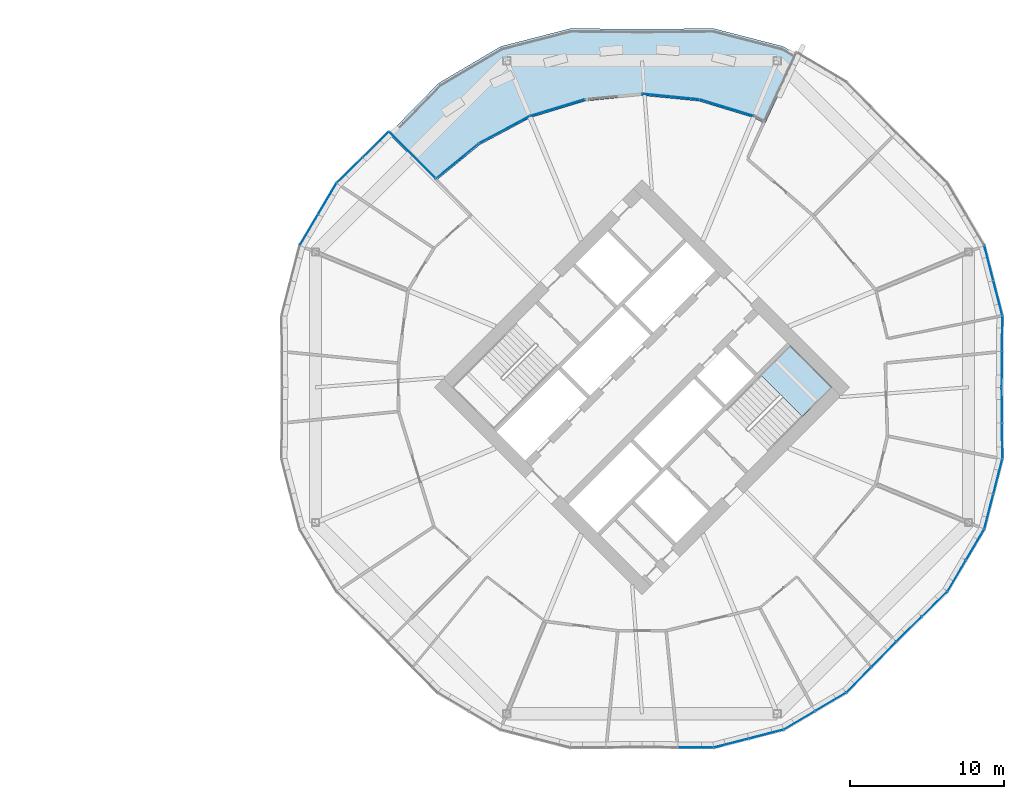
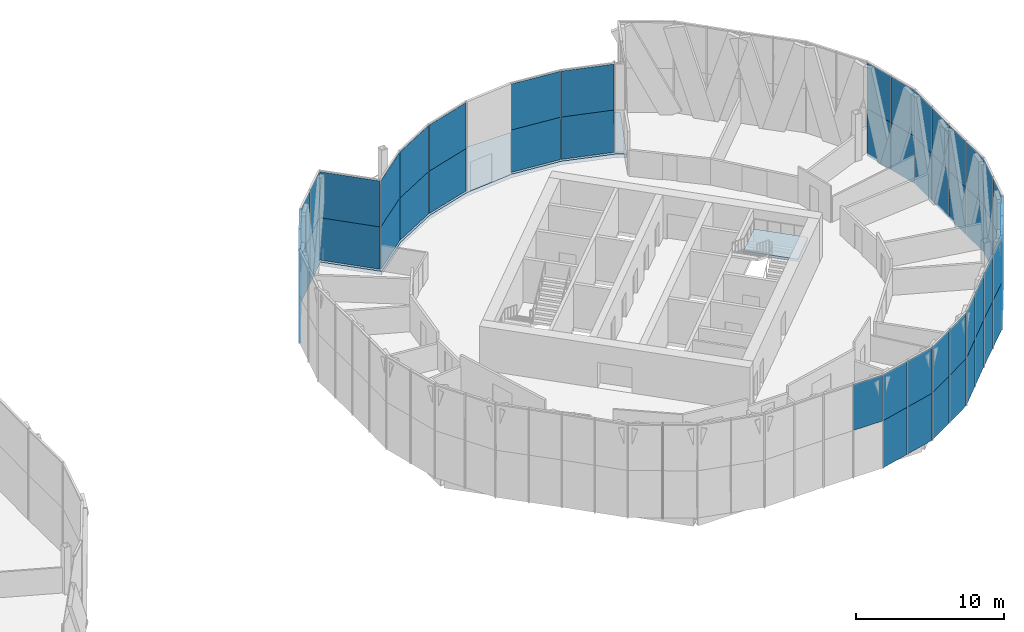
# One storey, part 20 of 31: 57 plates, 2 slabs, 7 elements without a shape of their own.
"""IFC4 building model written with IfcOpenShell, lengths in metres."""

from ifc_helpers import new_model, si_unit, direction, frame, origin, origin_2d, place, context, subcontext, project, spatial, polyline, rectangle, outline, extrude, material, layer, layer_set, type_object, element, aggregate, save


model = new_model("IFC4")

# Units and contexts
model_context = context("Model", 3, precision=1e-05, world=origin(), true_north=direction((0.0, 1.0)))
body_context = subcontext(model_context, "Body", "Model", "MODEL_VIEW")
ifc_project = project(units=[si_unit("LENGTHUNIT", "METRE"), si_unit("AREAUNIT", "SQUARE_METRE"), si_unit("VOLUMEUNIT", "CUBIC_METRE"), si_unit("PLANEANGLEUNIT", "RADIAN"), si_unit("MASSUNIT", "GRAM", prefix="KILO")], contexts=[model_context])

# Site, building, storey
site_placement = place(None, origin())
site = spatial("IfcSite", under=ifc_project, at=site_placement, CompositionType="ELEMENT")
building_placement = place(site_placement, origin())
building = spatial("IfcBuilding", under=site, at=building_placement, Name="Ogive Gate Towers", CompositionType="ELEMENT")
storey_placement = place(building_placement, frame((0.0, 0.0, 63.60009765625)))
storey = spatial("IfcBuildingStorey", under=building, at=storey_placement, Name="L14", CompositionType="ELEMENT", Elevation=63.60009765625)

# Curtain wall, plates
ifc_material_1 = material(Name="Pale metal aluminium", Category="aluminium")
curtain_wall_type_1 = type_object("IfcCurtainWallType", Name="Sky garden glazing", PredefinedType="NOTDEFINED", material=ifc_material_1)
curtain_wall_1_placement = place(storey_placement, origin())
curtain_wall_1 = element("IfcCurtainWall", 1, at=curtain_wall_1_placement, inside=storey, type_object=curtain_wall_type_1, Name="CW4 T2 ECW01", PredefinedType="NOTDEFINED")
ifc_material_2 = material(Name="Clear glass", Category="glass")
ifc_layer_1 = layer(ifc_material_2, 0.028076171875)
ifc_layer_set_1 = layer_set([ifc_layer_1], Name="Sky garden glazing glass panel")
plate_type_1 = type_object("IfcPlateType", Name="Sky garden glazing glass panel", PredefinedType="CURTAIN_PANEL", material=ifc_layer_set_1)
plate_1_placement = place(storey_placement, frame((37.852783203125, 18.827880859375, 0.095947265625), z_axis=(0.0, 0.0, 1.0), x_axis=(0.995184726672, -0.09801714033, 0.0)))
plate_1 = element("IfcPlate", 2, at=plate_1_placement, type_object=plate_type_1, Name="CW4 glass panel", PredefinedType="CURTAIN_PANEL", context=body_context, shape_type="SweptSolid", body=[
    extrude(rectangle(XDim=3.679443359375, YDim=0.028076171875, at=origin_2d()), origin(), (0.0, 0.0, 1.0), 3.50390625),
])
plate_2_placement = place(storey_placement, frame((37.852783203125, 18.827880859375, 3.60009765625), z_axis=(0.0, 0.0, 1.0), x_axis=(0.995184726672, -0.09801714033, 0.0)))
plate_2 = element("IfcPlate", 3, at=plate_2_placement, type_object=plate_type_1, Name="CW4 glass panel", PredefinedType="CURTAIN_PANEL", context=body_context, shape_type="SweptSolid", body=[
    extrude(rectangle(XDim=3.679443359375, YDim=0.028076171875, at=origin_2d()), origin(), (0.0, 0.0, 1.0), 3.803955078125),
])
plate_3_placement = place(storey_placement, frame((41.491943359375, 18.104248046875, 0.095947265625), z_axis=(0.0, 0.0, 1.0), x_axis=(0.956940335732, -0.290284677254, 0.0)))
plate_3 = element("IfcPlate", 4, at=plate_3_placement, type_object=plate_type_1, Name="CW4 glass panel", PredefinedType="CURTAIN_PANEL", context=body_context, shape_type="SweptSolid", body=[
    extrude(rectangle(XDim=3.67578125, YDim=0.028076171875, at=origin_2d()), origin(), (0.0, 0.0, 1.0), 3.50390625),
])
plate_4_placement = place(storey_placement, frame((41.491943359375, 18.104248046875, 3.60009765625), z_axis=(0.0, 0.0, 1.0), x_axis=(0.956940335732, -0.290284677254, 0.0)))
plate_4 = element("IfcPlate", 5, at=plate_4_placement, type_object=plate_type_1, Name="CW4 glass panel", PredefinedType="CURTAIN_PANEL", context=body_context, shape_type="SweptSolid", body=[
    extrude(rectangle(XDim=3.67578125, YDim=0.028076171875, at=origin_2d()), origin(), (0.0, 0.0, 1.0), 3.803955078125),
])
aggregate(curtain_wall_1, [plate_1, plate_2, plate_3, plate_4])

curtain_wall_2_placement = place(storey_placement, origin())
curtain_wall_2 = element("IfcCurtainWall", 6, at=curtain_wall_2_placement, inside=storey, type_object=curtain_wall_type_1, Name="CW4 T2 ECW02", PredefinedType="NOTDEFINED")
plate_5_placement = place(storey_placement, frame((21.106689453125, 15.03466796875, 0.095947265625), z_axis=(0.0, 0.0, 1.0), x_axis=(0.707106781187, -0.707106781187, 0.0)))
plate_5 = element("IfcPlate", 7, at=plate_5_placement, type_object=plate_type_1, Name="CW4 glass panel", PredefinedType="CURTAIN_PANEL", context=body_context, shape_type="SweptSolid", body=[
    extrude(rectangle(XDim=4.249755859375, YDim=0.028076171875, at=origin_2d()), origin(), (0.0, 0.0, 1.0), 3.50390625),
])
plate_6_placement = place(storey_placement, frame((21.106689453125, 15.03466796875, 3.60009765625), z_axis=(0.0, 0.0, 1.0), x_axis=(0.707106781187, -0.707106781187, 0.0)))
plate_6 = element("IfcPlate", 8, at=plate_6_placement, type_object=plate_type_1, Name="CW4 glass panel", PredefinedType="CURTAIN_PANEL", context=body_context, shape_type="SweptSolid", body=[
    extrude(rectangle(XDim=4.249755859375, YDim=0.028076171875, at=origin_2d()), origin(), (0.0, 0.0, 1.0), 3.803955078125),
])
plate_7_placement = place(storey_placement, frame((24.041015625, 14.659912109375, 0.095947265625), z_axis=(0.0, 0.0, 1.0), x_axis=(0.773021525497, 0.634379792489, 0.0)))
plate_7 = element("IfcPlate", 9, at=plate_7_placement, type_object=plate_type_1, Name="CW4 glass panel", PredefinedType="CURTAIN_PANEL", context=body_context, shape_type="SweptSolid", body=[
    extrude(rectangle(XDim=3.564208984375, YDim=0.028076171875, at=origin_2d()), origin(), (0.0, 0.0, 1.0), 3.50390625),
])
plate_8_placement = place(storey_placement, frame((24.041015625, 14.659912109375, 3.60009765625), z_axis=(0.0, 0.0, 1.0), x_axis=(0.773021525497, 0.634379792489, 0.0)))
plate_8 = element("IfcPlate", 10, at=plate_8_placement, type_object=plate_type_1, Name="CW4 glass panel", PredefinedType="CURTAIN_PANEL", context=body_context, shape_type="SweptSolid", body=[
    extrude(rectangle(XDim=3.564208984375, YDim=0.028076171875, at=origin_2d()), origin(), (0.0, 0.0, 1.0), 3.803955078125),
])
plate_9_placement = place(storey_placement, frame((27.08154296875, 16.68505859375, 0.095947265625), z_axis=(0.0, 0.0, 1.0), x_axis=(0.881921264348, 0.471396736826, 0.0)))
plate_9 = element("IfcPlate", 11, at=plate_9_placement, type_object=plate_type_1, Name="CW4 glass panel", PredefinedType="CURTAIN_PANEL", context=body_context, shape_type="SweptSolid", body=[
    extrude(rectangle(XDim=3.676025390625, YDim=0.028076171875, at=origin_2d()), origin(), (0.0, 0.0, 1.0), 3.50390625),
])
plate_10_placement = place(storey_placement, frame((27.08154296875, 16.68505859375, 3.60009765625), z_axis=(0.0, 0.0, 1.0), x_axis=(0.881921264348, 0.471396736826, 0.0)))
plate_10 = element("IfcPlate", 12, at=plate_10_placement, type_object=plate_type_1, Name="CW4 glass panel", PredefinedType="CURTAIN_PANEL", context=body_context, shape_type="SweptSolid", body=[
    extrude(rectangle(XDim=3.676025390625, YDim=0.028076171875, at=origin_2d()), origin(), (0.0, 0.0, 1.0), 3.803955078125),
])
plate_11_placement = place(storey_placement, frame((30.509765625, 18.104736328125, 0.095947265625), z_axis=(0.0, 0.0, 1.0), x_axis=(0.956940335732, 0.290284677254, 0.0)))
plate_11 = element("IfcPlate", 13, at=plate_11_placement, type_object=plate_type_1, Name="CW4 glass panel", PredefinedType="CURTAIN_PANEL", context=body_context, shape_type="SweptSolid", body=[
    extrude(rectangle(XDim=3.67919921875, YDim=0.028076171875, at=origin_2d()), origin(), (0.0, 0.0, 1.0), 3.50390625),
])
plate_12_placement = place(storey_placement, frame((30.509765625, 18.104736328125, 3.60009765625), z_axis=(0.0, 0.0, 1.0), x_axis=(0.956940335732, 0.290284677254, 0.0)))
plate_12 = element("IfcPlate", 14, at=plate_12_placement, type_object=plate_type_1, Name="CW4 glass panel", PredefinedType="CURTAIN_PANEL", context=body_context, shape_type="SweptSolid", body=[
    extrude(rectangle(XDim=3.67919921875, YDim=0.028076171875, at=origin_2d()), origin(), (0.0, 0.0, 1.0), 3.803955078125),
])
aggregate(curtain_wall_2, [plate_5, plate_6, plate_7, plate_8, plate_9, plate_10, plate_11, plate_12])

# Stair, slab
ifc_material_3 = material(Name="Concrete C40/50", Category="concrete")
stair_type = type_object("IfcStairType", Name="Escape stair 1840 wide", PredefinedType="HALF_TURN_STAIR", material=ifc_material_3)
stair_placement = place(storey_placement, origin())
stair = element("IfcStair", 15, at=stair_placement, inside=storey, type_object=stair_type, Name="L14 Escape stair 2", PredefinedType="HALF_TURN_STAIR")
ifc_layer_2 = layer(ifc_material_3, 0.199951171875)
ifc_layer_set_2 = layer_set([ifc_layer_2], Name="Stair landing 200 mm")
slab_type_1 = type_object("IfcSlabType", Name="Stair landing 200 mm", PredefinedType="LANDING", material=ifc_layer_set_2)
slab_1_placement = place(storey_placement, frame((0.0, 0.0, 1.75)))
slab_1 = element("IfcSlab", 16, at=slab_1_placement, type_object=slab_type_1, Name="ST2 landing 1", PredefinedType="LANDING", context=body_context, shape_type="SweptSolid", body=[
    extrude(outline(polyline([(46.3955078125, -1.908203125), (48.3037109375, 0.0), (45.598876953125, 2.70458984375), (43.690673828125, 0.79638671875), (46.3955078125, -1.908203125)])), origin(), (0.0, 0.0, 1.0), 0.199951171875),
])
aggregate(stair, [slab_1])

# Slab
ifc_material_4 = material(Name="Concrete C35/45", Category="concrete")
ifc_layer_3 = layer(ifc_material_4, 0.300048828125)
ifc_layer_set_3 = layer_set([ifc_layer_3], Name="Terrace slab 300")
slab_type_2 = type_object("IfcSlabType", Name="Terrace slab 300", PredefinedType="FLOOR", material=ifc_layer_set_3)
slab_2_placement = place(storey_placement, frame((0.0, 0.0, -0.300048828125)))
element("IfcSlab", 17, at=slab_2_placement, inside=storey, type_object=slab_type_2, Name="T2/L14/SSL002", PredefinedType="FLOOR", context=body_context, shape_type="SweptSolid", body=[
    extrude(outline(polyline([(43.965087890625, 17.0810546875), (46.05224609375, 21.55712890625), (45.14990234375, 22.08984375), (40.62548828125, 23.25439453125), (36.0, 23.2099609375), (31.37451171875, 23.25439453125), (26.85009765625, 22.08984375), (22.827392578125, 19.714111328125), (19.588134765625, 16.411865234375), (22.628662109375, 13.371337890625), (25.494140625, 15.72314453125), (28.763427734375, 17.470458984375), (32.310791015625, 18.546630859375), (36.0, 18.909912109375), (39.689208984375, 18.546630859375), (43.236572265625, 17.470458984375), (43.965087890625, 17.0810546875)])), origin(), (0.0, 0.0, 1.0), 0.300048828125),
])

# Curtain wall, plates
curtain_wall_type_2 = type_object("IfcCurtainWallType", Name="Tower unitised wall, low zone", PredefinedType="NOTDEFINED", material=ifc_material_1)
curtain_wall_3_placement = place(storey_placement, origin())
curtain_wall_3 = element("IfcCurtainWall", 18, at=curtain_wall_3_placement, inside=storey, type_object=curtain_wall_type_2, Name="CW1 T2 ECW03", PredefinedType="NOTDEFINED")
ifc_layer_4 = layer(ifc_material_2, 0.028076171875)
ifc_layer_set_4 = layer_set([ifc_layer_4], Name="Tower unitised wall, low zone glass panel")
plate_type_2 = type_object("IfcPlateType", Name="Tower unitised wall, low zone glass panel", PredefinedType="CURTAIN_PANEL", material=ifc_layer_set_4)
plate_13_placement = place(storey_placement, frame((58.4765625, 8.049072265625, -0.300048828125), z_axis=(0.0, 0.0, 1.0), x_axis=(0.249247709738, -0.968439765391, 0.0)))
plate_13 = element("IfcPlate", 19, at=plate_13_placement, type_object=plate_type_2, Name="CW1 glass panel", PredefinedType="CURTAIN_PANEL", context=body_context, shape_type="SweptSolid", body=[
    extrude(rectangle(XDim=2.29150390625, YDim=0.028076171875, at=origin_2d()), origin(), (0.0, 0.0, 1.0), 3.89990234375),
])
plate_14_placement = place(storey_placement, frame((58.4765625, 8.049072265625, 3.60009765625), z_axis=(0.0, 0.0, 1.0), x_axis=(0.249247709738, -0.968439765391, 0.0)))
plate_14 = element("IfcPlate", 20, at=plate_14_placement, type_object=plate_type_2, Name="CW1 glass panel", PredefinedType="CURTAIN_PANEL", context=body_context, shape_type="SweptSolid", body=[
    extrude(rectangle(XDim=2.29150390625, YDim=0.028076171875, at=origin_2d()), origin(), (0.0, 0.0, 1.0), 3.803955078125),
])
plate_15_placement = place(storey_placement, frame((59.061279296875, 5.77734375, -0.300048828125), z_axis=(0.0, 0.0, 1.0), x_axis=(0.249247709738, -0.968439765391, 0.0)))
plate_15 = element("IfcPlate", 21, at=plate_15_placement, type_object=plate_type_2, Name="CW1 glass panel", PredefinedType="CURTAIN_PANEL", context=body_context, shape_type="SweptSolid", body=[
    extrude(rectangle(XDim=2.291748046875, YDim=0.028076171875, at=origin_2d()), origin(), (0.0, 0.0, 1.0), 3.89990234375),
])
plate_16_placement = place(storey_placement, frame((59.061279296875, 5.77734375, 3.60009765625), z_axis=(0.0, 0.0, 1.0), x_axis=(0.249247709738, -0.968439765391, 0.0)))
plate_16 = element("IfcPlate", 22, at=plate_16_placement, type_object=plate_type_2, Name="CW1 glass panel", PredefinedType="CURTAIN_PANEL", context=body_context, shape_type="SweptSolid", body=[
    extrude(rectangle(XDim=2.291748046875, YDim=0.028076171875, at=origin_2d()), origin(), (0.0, 0.0, 1.0), 3.803955078125),
])
plate_17_placement = place(storey_placement, frame((59.343505859375, 3.476318359375, -0.300048828125), z_axis=(0.0, 0.0, 1.0), x_axis=(-0.009581710973, -0.999954094354, 0.0)))
plate_17 = element("IfcPlate", 23, at=plate_17_placement, type_object=plate_type_2, Name="CW1 glass panel", PredefinedType="CURTAIN_PANEL", context=body_context, shape_type="SweptSolid", body=[
    extrude(rectangle(XDim=2.26123046875, YDim=0.028076171875, at=origin_2d()), origin(), (0.0, 0.0, 1.0), 3.89990234375),
])
plate_18_placement = place(storey_placement, frame((59.343505859375, 3.476318359375, 3.60009765625), z_axis=(0.0, 0.0, 1.0), x_axis=(-0.009581710973, -0.999954094354, 0.0)))
plate_18 = element("IfcPlate", 24, at=plate_18_placement, type_object=plate_type_2, Name="CW1 glass panel", PredefinedType="CURTAIN_PANEL", context=body_context, shape_type="SweptSolid", body=[
    extrude(rectangle(XDim=2.26123046875, YDim=0.028076171875, at=origin_2d()), origin(), (0.0, 0.0, 1.0), 3.803955078125),
])
plate_19_placement = place(storey_placement, frame((59.3212890625, 1.159423828125, -0.300048828125), z_axis=(0.0, 0.0, 1.0), x_axis=(-0.009616615949, -0.99995375928, 0.0)))
plate_19 = element("IfcPlate", 25, at=plate_19_placement, type_object=plate_type_2, Name="CW1 glass panel", PredefinedType="CURTAIN_PANEL", context=body_context, shape_type="SweptSolid", body=[
    extrude(rectangle(XDim=2.264892578125, YDim=0.028076171875, at=origin_2d()), origin(), (0.0, 0.0, 1.0), 3.89990234375),
])
plate_20_placement = place(storey_placement, frame((59.3212890625, 1.159423828125, 3.60009765625), z_axis=(0.0, 0.0, 1.0), x_axis=(-0.009616615949, -0.99995375928, 0.0)))
plate_20 = element("IfcPlate", 26, at=plate_20_placement, type_object=plate_type_2, Name="CW1 glass panel", PredefinedType="CURTAIN_PANEL", context=body_context, shape_type="SweptSolid", body=[
    extrude(rectangle(XDim=2.264892578125, YDim=0.028076171875, at=origin_2d()), origin(), (0.0, 0.0, 1.0), 3.803955078125),
])
aggregate(curtain_wall_3, [plate_13, plate_14, plate_15, plate_16, plate_17, plate_18, plate_19, plate_20])

curtain_wall_4_placement = place(storey_placement, origin())
curtain_wall_4 = element("IfcCurtainWall", 27, at=curtain_wall_4_placement, inside=storey, type_object=curtain_wall_type_2, Name="CW1 T2 ECW05", PredefinedType="NOTDEFINED")
plate_21_placement = place(storey_placement, frame((14.415283203125, 10.201904296875, -0.300048828125), z_axis=(0.0, 0.0, 1.0), x_axis=(0.508545579527, 0.86103507103, 0.0)))
plate_21 = element("IfcPlate", 28, at=plate_21_placement, type_object=plate_type_2, Name="CW1 glass panel", PredefinedType="CURTAIN_PANEL", context=body_context, shape_type="SweptSolid", body=[
    extrude(rectangle(XDim=2.29150390625, YDim=0.028076171875, at=origin_2d()), origin(), (0.0, 0.0, 1.0), 3.89990234375),
])
plate_22_placement = place(storey_placement, frame((14.415283203125, 10.201904296875, 3.60009765625), z_axis=(0.0, 0.0, 1.0), x_axis=(0.508545579527, 0.86103507103, 0.0)))
plate_22 = element("IfcPlate", 29, at=plate_22_placement, type_object=plate_type_2, Name="CW1 glass panel", PredefinedType="CURTAIN_PANEL", context=body_context, shape_type="SweptSolid", body=[
    extrude(rectangle(XDim=2.29150390625, YDim=0.028076171875, at=origin_2d()), origin(), (0.0, 0.0, 1.0), 3.803955078125),
])
plate_23_placement = place(storey_placement, frame((15.60791015625, 12.221435546875, -0.300048828125), z_axis=(0.0, 0.0, 1.0), x_axis=(0.508530551553, 0.861043946693, 0.0)))
plate_23 = element("IfcPlate", 30, at=plate_23_placement, type_object=plate_type_2, Name="CW1 glass panel", PredefinedType="CURTAIN_PANEL", context=body_context, shape_type="SweptSolid", body=[
    extrude(rectangle(XDim=2.29150390625, YDim=0.028076171875, at=origin_2d()), origin(), (0.0, 0.0, 1.0), 3.89990234375),
])
plate_24_placement = place(storey_placement, frame((15.60791015625, 12.221435546875, 3.60009765625), z_axis=(0.0, 0.0, 1.0), x_axis=(0.508530551553, 0.861043946693, 0.0)))
plate_24 = element("IfcPlate", 31, at=plate_24_placement, type_object=plate_type_2, Name="CW1 glass panel", PredefinedType="CURTAIN_PANEL", context=body_context, shape_type="SweptSolid", body=[
    extrude(rectangle(XDim=2.29150390625, YDim=0.028076171875, at=origin_2d()), origin(), (0.0, 0.0, 1.0), 3.803955078125),
])
plate_25_placement = place(storey_placement, frame((17.053466796875, 14.0654296875, -0.300048828125), z_axis=(0.0, 0.0, 1.0), x_axis=(0.71387405841, 0.70027410971, 0.0)))
plate_25 = element("IfcPlate", 32, at=plate_25_placement, type_object=plate_type_2, Name="CW1 glass panel", PredefinedType="CURTAIN_PANEL", context=body_context, shape_type="SweptSolid", body=[
    extrude(rectangle(XDim=2.311279296875, YDim=0.028076171875, at=origin_2d()), origin(), (0.0, 0.0, 1.0), 3.89990234375),
])
plate_26_placement = place(storey_placement, frame((17.053466796875, 14.0654296875, 3.60009765625), z_axis=(0.0, 0.0, 1.0), x_axis=(0.71387405841, 0.70027410971, 0.0)))
plate_26 = element("IfcPlate", 33, at=plate_26_placement, type_object=plate_type_2, Name="CW1 glass panel", PredefinedType="CURTAIN_PANEL", context=body_context, shape_type="SweptSolid", body=[
    extrude(rectangle(XDim=2.311279296875, YDim=0.028076171875, at=origin_2d()), origin(), (0.0, 0.0, 1.0), 3.803955078125),
])
plate_27_placement = place(storey_placement, frame((18.7431640625, 15.72314453125, -0.300048828125), z_axis=(0.0, 0.0, 1.0), x_axis=(0.713849613797, 0.700299028189, 0.0)))
plate_27 = element("IfcPlate", 34, at=plate_27_placement, type_object=plate_type_2, Name="CW1 glass panel", PredefinedType="CURTAIN_PANEL", context=body_context, shape_type="SweptSolid", body=[
    extrude(rectangle(XDim=2.31494140625, YDim=0.028076171875, at=origin_2d()), origin(), (0.0, 0.0, 1.0), 3.89990234375),
])
plate_28_placement = place(storey_placement, frame((18.7431640625, 15.72314453125, 3.60009765625), z_axis=(0.0, 0.0, 1.0), x_axis=(0.713849613797, 0.700299028189, 0.0)))
plate_28 = element("IfcPlate", 35, at=plate_28_placement, type_object=plate_type_2, Name="CW1 glass panel", PredefinedType="CURTAIN_PANEL", context=body_context, shape_type="SweptSolid", body=[
    extrude(rectangle(XDim=2.31494140625, YDim=0.028076171875, at=origin_2d()), origin(), (0.0, 0.0, 1.0), 3.803955078125),
])
aggregate(curtain_wall_4, [plate_21, plate_22, plate_23, plate_24, plate_25, plate_26, plate_27, plate_28])

curtain_wall_5_placement = place(storey_placement, origin())
curtain_wall_5 = element("IfcCurtainWall", 36, at=curtain_wall_5_placement, inside=storey, type_object=curtain_wall_type_2, Name="CW1 T2 ECW08", PredefinedType="NOTDEFINED")
plate_29_placement = place(storey_placement, frame((51.670654296875, -17.310302734375, -0.300048828125), z_axis=(0.0, 0.0, 1.0), x_axis=(-0.700299028189, -0.713849613797, 0.0)))
plate_29 = element("IfcPlate", 37, at=plate_29_placement, type_object=plate_type_2, Name="CW1 glass panel", PredefinedType="CURTAIN_PANEL", context=body_context, shape_type="SweptSolid", body=[
    extrude(rectangle(XDim=2.264892578125, YDim=0.028076171875, at=origin_2d()), origin(), (0.0, 0.0, 1.0), 3.89990234375),
])
plate_30_placement = place(storey_placement, frame((51.670654296875, -17.310302734375, 3.60009765625), z_axis=(0.0, 0.0, 1.0), x_axis=(-0.700299028189, -0.713849613797, 0.0)))
plate_30 = element("IfcPlate", 38, at=plate_30_placement, type_object=plate_type_2, Name="CW1 glass panel", PredefinedType="CURTAIN_PANEL", context=body_context, shape_type="SweptSolid", body=[
    extrude(rectangle(XDim=2.264892578125, YDim=0.028076171875, at=origin_2d()), origin(), (0.0, 0.0, 1.0), 3.803955078125),
])
plate_31_placement = place(storey_placement, frame((50.048095703125, -18.964599609375, -0.300048828125), z_axis=(0.0, 0.0, 1.0), x_axis=(-0.700286569056, -0.713861836212, 0.0)))
plate_31 = element("IfcPlate", 39, at=plate_31_placement, type_object=plate_type_2, Name="CW1 glass panel", PredefinedType="CURTAIN_PANEL", context=body_context, shape_type="SweptSolid", body=[
    extrude(rectangle(XDim=2.26123046875, YDim=0.028076171875, at=origin_2d()), origin(), (0.0, 0.0, 1.0), 3.89990234375),
])
plate_32_placement = place(storey_placement, frame((50.048095703125, -18.964599609375, 3.60009765625), z_axis=(0.0, 0.0, 1.0), x_axis=(-0.700286569056, -0.713861836212, 0.0)))
plate_32 = element("IfcPlate", 40, at=plate_32_placement, type_object=plate_type_2, Name="CW1 glass panel", PredefinedType="CURTAIN_PANEL", context=body_context, shape_type="SweptSolid", body=[
    extrude(rectangle(XDim=2.26123046875, YDim=0.028076171875, at=origin_2d()), origin(), (0.0, 0.0, 1.0), 3.803955078125),
])
plate_33_placement = place(storey_placement, frame((48.221435546875, -20.39208984375, -0.300048828125), z_axis=(0.0, 0.0, 1.0), x_axis=(-0.861043946693, -0.508530551553, 0.0)))
plate_33 = element("IfcPlate", 41, at=plate_33_placement, type_object=plate_type_2, Name="CW1 glass panel", PredefinedType="CURTAIN_PANEL", context=body_context, shape_type="SweptSolid", body=[
    extrude(rectangle(XDim=2.29150390625, YDim=0.028076171875, at=origin_2d()), origin(), (0.0, 0.0, 1.0), 3.89990234375),
])
plate_34_placement = place(storey_placement, frame((48.221435546875, -20.39208984375, 3.60009765625), z_axis=(0.0, 0.0, 1.0), x_axis=(-0.861043946693, -0.508530551553, 0.0)))
plate_34 = element("IfcPlate", 42, at=plate_34_placement, type_object=plate_type_2, Name="CW1 glass panel", PredefinedType="CURTAIN_PANEL", context=body_context, shape_type="SweptSolid", body=[
    extrude(rectangle(XDim=2.29150390625, YDim=0.028076171875, at=origin_2d()), origin(), (0.0, 0.0, 1.0), 3.803955078125),
])
plate_35_placement = place(storey_placement, frame((46.201904296875, -21.584716796875, -0.300048828125), z_axis=(0.0, 0.0, 1.0), x_axis=(-0.86103507103, -0.508545579527, 0.0)))
plate_35 = element("IfcPlate", 43, at=plate_35_placement, type_object=plate_type_2, Name="CW1 glass panel", PredefinedType="CURTAIN_PANEL", context=body_context, shape_type="SweptSolid", body=[
    extrude(rectangle(XDim=2.29150390625, YDim=0.028076171875, at=origin_2d()), origin(), (0.0, 0.0, 1.0), 3.89990234375),
])
plate_36_placement = place(storey_placement, frame((46.201904296875, -21.584716796875, 3.60009765625), z_axis=(0.0, 0.0, 1.0), x_axis=(-0.86103507103, -0.508545579527, 0.0)))
plate_36 = element("IfcPlate", 44, at=plate_36_placement, type_object=plate_type_2, Name="CW1 glass panel", PredefinedType="CURTAIN_PANEL", context=body_context, shape_type="SweptSolid", body=[
    extrude(rectangle(XDim=2.29150390625, YDim=0.028076171875, at=origin_2d()), origin(), (0.0, 0.0, 1.0), 3.803955078125),
])
plate_37_placement = place(storey_placement, frame((44.049072265625, -22.4765625, -0.300048828125), z_axis=(0.0, 0.0, 1.0), x_axis=(-0.968439765391, -0.249247709738, 0.0)))
plate_37 = element("IfcPlate", 45, at=plate_37_placement, type_object=plate_type_2, Name="CW1 glass panel", PredefinedType="CURTAIN_PANEL", context=body_context, shape_type="SweptSolid", body=[
    extrude(rectangle(XDim=2.29150390625, YDim=0.028076171875, at=origin_2d()), origin(), (0.0, 0.0, 1.0), 3.89990234375),
])
plate_38_placement = place(storey_placement, frame((44.049072265625, -22.4765625, 3.60009765625), z_axis=(0.0, 0.0, 1.0), x_axis=(-0.968439765391, -0.249247709738, 0.0)))
plate_38 = element("IfcPlate", 46, at=plate_38_placement, type_object=plate_type_2, Name="CW1 glass panel", PredefinedType="CURTAIN_PANEL", context=body_context, shape_type="SweptSolid", body=[
    extrude(rectangle(XDim=2.29150390625, YDim=0.028076171875, at=origin_2d()), origin(), (0.0, 0.0, 1.0), 3.803955078125),
])
plate_39_placement = place(storey_placement, frame((41.77734375, -23.061279296875, -0.300048828125), z_axis=(0.0, 0.0, 1.0), x_axis=(-0.968439765391, -0.249247709738, 0.0)))
plate_39 = element("IfcPlate", 47, at=plate_39_placement, type_object=plate_type_2, Name="CW1 glass panel", PredefinedType="CURTAIN_PANEL", context=body_context, shape_type="SweptSolid", body=[
    extrude(rectangle(XDim=2.291748046875, YDim=0.028076171875, at=origin_2d()), origin(), (0.0, 0.0, 1.0), 3.89990234375),
])
plate_40_placement = place(storey_placement, frame((41.77734375, -23.061279296875, 3.60009765625), z_axis=(0.0, 0.0, 1.0), x_axis=(-0.968439765391, -0.249247709738, 0.0)))
plate_40 = element("IfcPlate", 48, at=plate_40_placement, type_object=plate_type_2, Name="CW1 glass panel", PredefinedType="CURTAIN_PANEL", context=body_context, shape_type="SweptSolid", body=[
    extrude(rectangle(XDim=2.291748046875, YDim=0.028076171875, at=origin_2d()), origin(), (0.0, 0.0, 1.0), 3.803955078125),
])
plate_41_placement = place(storey_placement, frame((39.476318359375, -23.343505859375, 3.60009765625), z_axis=(0.0, 0.0, 1.0), x_axis=(-0.999954094354, 0.009581710973, 0.0)))
plate_41 = element("IfcPlate", 49, at=plate_41_placement, type_object=plate_type_2, Name="CW1 glass panel", PredefinedType="CURTAIN_PANEL", context=body_context, shape_type="SweptSolid", body=[
    extrude(rectangle(XDim=2.26123046875, YDim=0.028076171875, at=origin_2d()), origin(), (0.0, 0.0, 1.0), 3.803955078125),
])
aggregate(curtain_wall_5, [plate_29, plate_30, plate_31, plate_32, plate_33, plate_34, plate_35, plate_36, plate_37, plate_38, plate_39, plate_40, plate_41])

curtain_wall_6_placement = place(storey_placement, origin())
curtain_wall_6 = element("IfcCurtainWall", 50, at=curtain_wall_6_placement, inside=storey, type_object=curtain_wall_type_2, Name="CW1 T2 ECW09", PredefinedType="NOTDEFINED")
plate_42_placement = place(storey_placement, frame((59.3212890625, -1.159423828125, -0.300048828125), z_axis=(0.0, 0.0, 1.0), x_axis=(0.009616615949, -0.99995375928, 0.0)))
plate_42 = element("IfcPlate", 51, at=plate_42_placement, type_object=plate_type_2, Name="CW1 glass panel", PredefinedType="CURTAIN_PANEL", context=body_context, shape_type="SweptSolid", body=[
    extrude(rectangle(XDim=2.264892578125, YDim=0.028076171875, at=origin_2d()), origin(), (0.0, 0.0, 1.0), 3.89990234375),
])
plate_43_placement = place(storey_placement, frame((59.3212890625, -1.159423828125, 3.60009765625), z_axis=(0.0, 0.0, 1.0), x_axis=(0.009616615949, -0.99995375928, 0.0)))
plate_43 = element("IfcPlate", 52, at=plate_43_placement, type_object=plate_type_2, Name="CW1 glass panel", PredefinedType="CURTAIN_PANEL", context=body_context, shape_type="SweptSolid", body=[
    extrude(rectangle(XDim=2.264892578125, YDim=0.028076171875, at=origin_2d()), origin(), (0.0, 0.0, 1.0), 3.803955078125),
])
plate_44_placement = place(storey_placement, frame((59.343505859375, -3.476318359375, -0.300048828125), z_axis=(0.0, 0.0, 1.0), x_axis=(0.009581710973, -0.999954094354, 0.0)))
plate_44 = element("IfcPlate", 53, at=plate_44_placement, type_object=plate_type_2, Name="CW1 glass panel", PredefinedType="CURTAIN_PANEL", context=body_context, shape_type="SweptSolid", body=[
    extrude(rectangle(XDim=2.26123046875, YDim=0.028076171875, at=origin_2d()), origin(), (0.0, 0.0, 1.0), 3.89990234375),
])
plate_45_placement = place(storey_placement, frame((59.343505859375, -3.476318359375, 3.60009765625), z_axis=(0.0, 0.0, 1.0), x_axis=(0.009581710973, -0.999954094354, 0.0)))
plate_45 = element("IfcPlate", 54, at=plate_45_placement, type_object=plate_type_2, Name="CW1 glass panel", PredefinedType="CURTAIN_PANEL", context=body_context, shape_type="SweptSolid", body=[
    extrude(rectangle(XDim=2.26123046875, YDim=0.028076171875, at=origin_2d()), origin(), (0.0, 0.0, 1.0), 3.803955078125),
])
plate_46_placement = place(storey_placement, frame((59.061279296875, -5.77734375, -0.300048828125), z_axis=(0.0, 0.0, 1.0), x_axis=(-0.249247709738, -0.968439765391, 0.0)))
plate_46 = element("IfcPlate", 55, at=plate_46_placement, type_object=plate_type_2, Name="CW1 glass panel", PredefinedType="CURTAIN_PANEL", context=body_context, shape_type="SweptSolid", body=[
    extrude(rectangle(XDim=2.291748046875, YDim=0.028076171875, at=origin_2d()), origin(), (0.0, 0.0, 1.0), 3.89990234375),
])
plate_47_placement = place(storey_placement, frame((59.061279296875, -5.77734375, 3.60009765625), z_axis=(0.0, 0.0, 1.0), x_axis=(-0.249247709738, -0.968439765391, 0.0)))
plate_47 = element("IfcPlate", 56, at=plate_47_placement, type_object=plate_type_2, Name="CW1 glass panel", PredefinedType="CURTAIN_PANEL", context=body_context, shape_type="SweptSolid", body=[
    extrude(rectangle(XDim=2.291748046875, YDim=0.028076171875, at=origin_2d()), origin(), (0.0, 0.0, 1.0), 3.803955078125),
])
plate_48_placement = place(storey_placement, frame((58.4765625, -8.049072265625, -0.300048828125), z_axis=(0.0, 0.0, 1.0), x_axis=(-0.249247709738, -0.968439765391, 0.0)))
plate_48 = element("IfcPlate", 57, at=plate_48_placement, type_object=plate_type_2, Name="CW1 glass panel", PredefinedType="CURTAIN_PANEL", context=body_context, shape_type="SweptSolid", body=[
    extrude(rectangle(XDim=2.29150390625, YDim=0.028076171875, at=origin_2d()), origin(), (0.0, 0.0, 1.0), 3.89990234375),
])
plate_49_placement = place(storey_placement, frame((58.4765625, -8.049072265625, 3.60009765625), z_axis=(0.0, 0.0, 1.0), x_axis=(-0.249247709738, -0.968439765391, 0.0)))
plate_49 = element("IfcPlate", 58, at=plate_49_placement, type_object=plate_type_2, Name="CW1 glass panel", PredefinedType="CURTAIN_PANEL", context=body_context, shape_type="SweptSolid", body=[
    extrude(rectangle(XDim=2.29150390625, YDim=0.028076171875, at=origin_2d()), origin(), (0.0, 0.0, 1.0), 3.803955078125),
])
plate_50_placement = place(storey_placement, frame((57.584716796875, -10.201904296875, -0.300048828125), z_axis=(0.0, 0.0, 1.0), x_axis=(-0.508545579527, -0.86103507103, 0.0)))
plate_50 = element("IfcPlate", 59, at=plate_50_placement, type_object=plate_type_2, Name="CW1 glass panel", PredefinedType="CURTAIN_PANEL", context=body_context, shape_type="SweptSolid", body=[
    extrude(rectangle(XDim=2.29150390625, YDim=0.028076171875, at=origin_2d()), origin(), (0.0, 0.0, 1.0), 3.89990234375),
])
plate_51_placement = place(storey_placement, frame((57.584716796875, -10.201904296875, 3.60009765625), z_axis=(0.0, 0.0, 1.0), x_axis=(-0.508545579527, -0.86103507103, 0.0)))
plate_51 = element("IfcPlate", 60, at=plate_51_placement, type_object=plate_type_2, Name="CW1 glass panel", PredefinedType="CURTAIN_PANEL", context=body_context, shape_type="SweptSolid", body=[
    extrude(rectangle(XDim=2.29150390625, YDim=0.028076171875, at=origin_2d()), origin(), (0.0, 0.0, 1.0), 3.803955078125),
])
plate_52_placement = place(storey_placement, frame((56.39208984375, -12.221435546875, -0.300048828125), z_axis=(0.0, 0.0, 1.0), x_axis=(-0.508530551553, -0.861043946693, 0.0)))
plate_52 = element("IfcPlate", 61, at=plate_52_placement, type_object=plate_type_2, Name="CW1 glass panel", PredefinedType="CURTAIN_PANEL", context=body_context, shape_type="SweptSolid", body=[
    extrude(rectangle(XDim=2.29150390625, YDim=0.028076171875, at=origin_2d()), origin(), (0.0, 0.0, 1.0), 3.89990234375),
])
plate_53_placement = place(storey_placement, frame((56.39208984375, -12.221435546875, 3.60009765625), z_axis=(0.0, 0.0, 1.0), x_axis=(-0.508530551553, -0.861043946693, 0.0)))
plate_53 = element("IfcPlate", 62, at=plate_53_placement, type_object=plate_type_2, Name="CW1 glass panel", PredefinedType="CURTAIN_PANEL", context=body_context, shape_type="SweptSolid", body=[
    extrude(rectangle(XDim=2.29150390625, YDim=0.028076171875, at=origin_2d()), origin(), (0.0, 0.0, 1.0), 3.803955078125),
])
plate_54_placement = place(storey_placement, frame((54.964599609375, -14.048095703125, -0.300048828125), z_axis=(0.0, 0.0, 1.0), x_axis=(-0.713861836212, -0.700286569056, 0.0)))
plate_54 = element("IfcPlate", 63, at=plate_54_placement, type_object=plate_type_2, Name="CW1 glass panel", PredefinedType="CURTAIN_PANEL", context=body_context, shape_type="SweptSolid", body=[
    extrude(rectangle(XDim=2.26123046875, YDim=0.028076171875, at=origin_2d()), origin(), (0.0, 0.0, 1.0), 3.89990234375),
])
plate_55_placement = place(storey_placement, frame((54.964599609375, -14.048095703125, 3.60009765625), z_axis=(0.0, 0.0, 1.0), x_axis=(-0.713861836212, -0.700286569056, 0.0)))
plate_55 = element("IfcPlate", 64, at=plate_55_placement, type_object=plate_type_2, Name="CW1 glass panel", PredefinedType="CURTAIN_PANEL", context=body_context, shape_type="SweptSolid", body=[
    extrude(rectangle(XDim=2.26123046875, YDim=0.028076171875, at=origin_2d()), origin(), (0.0, 0.0, 1.0), 3.803955078125),
])
plate_56_placement = place(storey_placement, frame((53.310302734375, -15.670654296875, -0.300048828125), z_axis=(0.0, 0.0, 1.0), x_axis=(-0.713849613797, -0.700299028189, 0.0)))
plate_56 = element("IfcPlate", 65, at=plate_56_placement, type_object=plate_type_2, Name="CW1 glass panel", PredefinedType="CURTAIN_PANEL", context=body_context, shape_type="SweptSolid", body=[
    extrude(rectangle(XDim=2.264892578125, YDim=0.028076171875, at=origin_2d()), origin(), (0.0, 0.0, 1.0), 3.89990234375),
])
plate_57_placement = place(storey_placement, frame((53.310302734375, -15.670654296875, 3.60009765625), z_axis=(0.0, 0.0, 1.0), x_axis=(-0.713849613797, -0.700299028189, 0.0)))
plate_57 = element("IfcPlate", 66, at=plate_57_placement, type_object=plate_type_2, Name="CW1 glass panel", PredefinedType="CURTAIN_PANEL", context=body_context, shape_type="SweptSolid", body=[
    extrude(rectangle(XDim=2.264892578125, YDim=0.028076171875, at=origin_2d()), origin(), (0.0, 0.0, 1.0), 3.803955078125),
])
aggregate(curtain_wall_6, [plate_42, plate_43, plate_44, plate_45, plate_46, plate_47, plate_48, plate_49, plate_50, plate_51, plate_52, plate_53, plate_54, plate_55, plate_56, plate_57])

save(model, "model.ifc")
